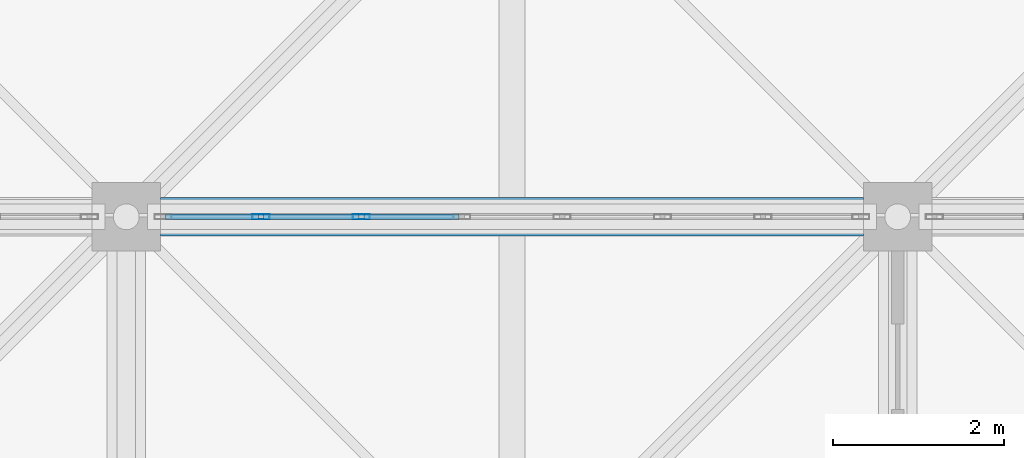
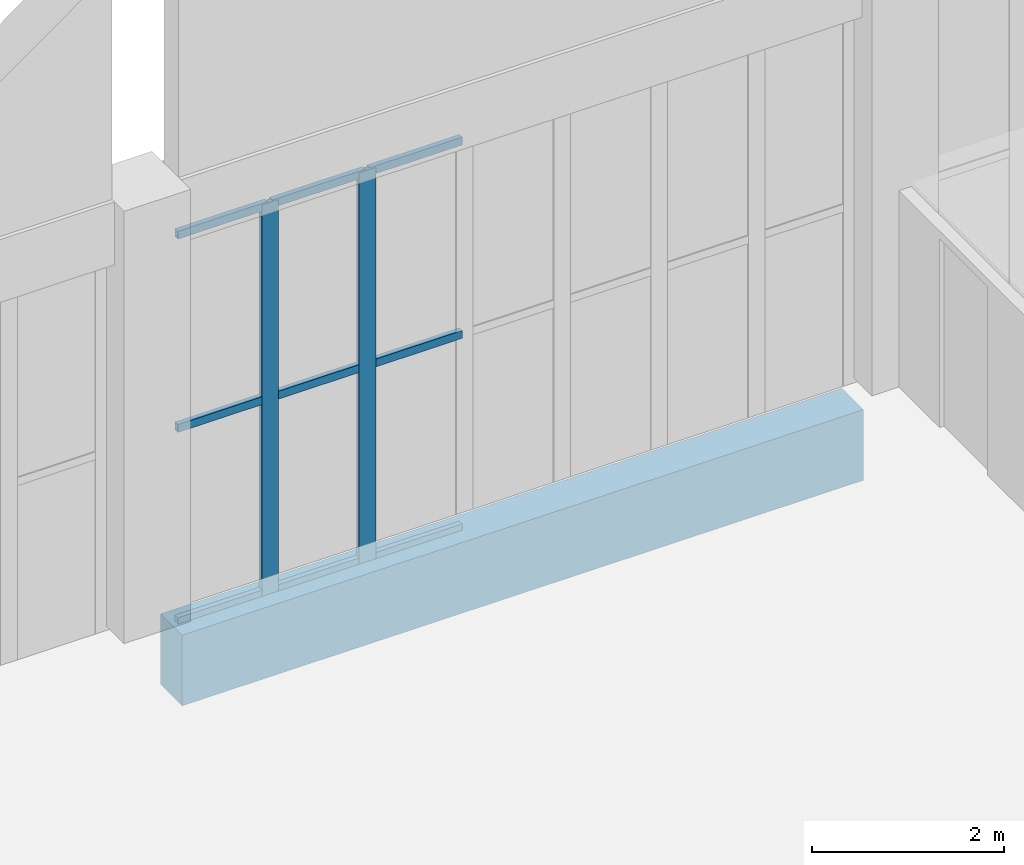
# One storey, part 129 of 437: 11 members, 1 beam, 1 element without a shape of its own.
"""IFC4 building model written with IfcOpenShell, lengths in metres."""

from ifc_helpers import new_model, si_unit, direction, frame, origin, origin_2d, place, context, subcontext, project, spatial, rectangle, hollow_rectangle, extrude, material, layer, layer_set, material_profile, profile_set, type_object, element, aggregate, save


model = new_model("IFC4")

# Units and contexts
model_context = context("Model", 3, precision=1e-05, world=origin(), true_north=direction((0.0, 1.0)))
body_context = subcontext(model_context, "Body", "Model", "MODEL_VIEW")
ifc_project = project(units=[si_unit("LENGTHUNIT", "METRE"), si_unit("AREAUNIT", "SQUARE_METRE"), si_unit("VOLUMEUNIT", "CUBIC_METRE"), si_unit("PLANEANGLEUNIT", "RADIAN"), si_unit("MASSUNIT", "GRAM", prefix="KILO")], contexts=[model_context])

# Site, building, storey
site_placement = place(None, origin())
site = spatial("IfcSite", under=ifc_project, at=site_placement, CompositionType="ELEMENT")
building_placement = place(site_placement, origin())
building = spatial("IfcBuilding", under=site, at=building_placement, Name="Opaline Strait Convention Centre", CompositionType="ELEMENT")
storey_placement = place(building_placement, frame((0.0, 0.0, 11.5)))
storey = spatial("IfcBuildingStorey", under=building, at=storey_placement, Name="L02", CompositionType="ELEMENT", Elevation=11.5)

# Curtain wall, members
ifc_material_1 = material(Name="Aluminium framed double glazing", Category="aluminium")
ifc_layer = layer(ifc_material_1, 0.199951171875)
ifc_layer_set = layer_set([ifc_layer], Name="Aluminium framed double glazing")
curtain_wall_type = type_object("IfcCurtainWallType", Name="Curtain wall 1250", PredefinedType="NOTDEFINED", material=ifc_layer_set)
curtain_wall_placement = place(storey_placement, origin())
curtain_wall = element("IfcCurtainWall", 1, at=curtain_wall_placement, inside=storey, type_object=curtain_wall_type, Name="Curtain wall N-45-L02", PredefinedType="NOTDEFINED")
ifc_material_2 = material(Name="Aluminium alloy 6063", Category="aluminium")
ifc_material_profile_1 = material_profile(ifc_material_2, hollow_rectangle(XDim=0.06005859375, YDim=0.199951171875, WallThickness=0.00390625, at=origin_2d()), Name="MULLION 60x200x4")
ifc_profile_set_1 = profile_set([ifc_material_profile_1], Name="Aluminium alloy 6063")
member_type_1 = type_object("IfcMemberType", Name="Curtain wall mullion 60 x 200", PredefinedType="MULLION", material=ifc_profile_set_1)
member_1_placement = place(storey_placement, frame((46.5712890625, 180.0, -0.280029296875), z_axis=(0.0, 0.0, 1.0), x_axis=(0.0, 1.0, 0.0)))
member_1 = element("IfcMember", 2, at=member_1_placement, type_object=member_type_1, Name="PCW mullion 2", PredefinedType="MULLION", context=body_context, shape_type="SweptSolid", body=[
    extrude(hollow_rectangle(XDim=0.06005859375, YDim=0.199951171875, WallThickness=0.00390625, at=origin_2d()), origin(), (0.0, 0.0, 1.0), 4.97998046875),
])
member_2_placement = place(storey_placement, frame((47.742919921875, 180.0, -0.280029296875), z_axis=(0.0, 0.0, 1.0), x_axis=(0.0, 1.0, 0.0)))
member_2 = element("IfcMember", 3, at=member_2_placement, type_object=member_type_1, Name="PCW mullion 3", PredefinedType="MULLION", context=body_context, shape_type="SweptSolid", body=[
    extrude(hollow_rectangle(XDim=0.06005859375, YDim=0.199951171875, WallThickness=0.00390625, at=origin_2d()), origin(), (0.0, 0.0, 1.0), 4.97998046875),
])
ifc_material_profile_2 = material_profile(ifc_material_2, hollow_rectangle(XDim=0.06005859375, YDim=0.10009765625, WallThickness=0.0029296875, at=origin_2d()), Name="TRANSOM 60x100x3")
ifc_profile_set_2 = profile_set([ifc_material_profile_2], Name="Aluminium alloy 6063")
member_type_2 = type_object("IfcMemberType", Name="Curtain wall transom 60 x 100", PredefinedType="USERDEFINED", material=ifc_profile_set_2)
member_3_placement = place(storey_placement, frame((45.4599609375, 180.0, -0.25), z_axis=(1.0, 0.0, 0.0), x_axis=(0.0, 1.0, 0.0)))
member_3 = element("IfcMember", 4, at=member_3_placement, type_object=member_type_2, Name="PCW transom 1.1", ObjectType="TRANSOM", PredefinedType="USERDEFINED", context=body_context, shape_type="SweptSolid", body=[
    extrude(hollow_rectangle(XDim=0.06005859375, YDim=0.10009765625, WallThickness=0.0029296875, at=origin_2d()), origin(), (0.0, 0.0, 1.0), 1.081298828125),
])
member_4_placement = place(storey_placement, frame((45.4599609375, 180.0, 2.2099609375), z_axis=(1.0, 0.0, 0.0), x_axis=(0.0, 1.0, 0.0)))
member_4 = element("IfcMember", 5, at=member_4_placement, type_object=member_type_2, Name="PCW transom 1.2", ObjectType="TRANSOM", PredefinedType="USERDEFINED", context=body_context, shape_type="SweptSolid", body=[
    extrude(hollow_rectangle(XDim=0.06005859375, YDim=0.10009765625, WallThickness=0.0029296875, at=origin_2d()), origin(), (0.0, 0.0, 1.0), 1.081298828125),
])
member_5_placement = place(storey_placement, frame((45.4599609375, 180.0, 4.669921875), z_axis=(1.0, 0.0, 0.0), x_axis=(0.0, 1.0, 0.0)))
member_5 = element("IfcMember", 6, at=member_5_placement, type_object=member_type_2, Name="PCW transom 1.3", ObjectType="TRANSOM", PredefinedType="USERDEFINED", context=body_context, shape_type="SweptSolid", body=[
    extrude(hollow_rectangle(XDim=0.06005859375, YDim=0.10009765625, WallThickness=0.0029296875, at=origin_2d()), origin(), (0.0, 0.0, 1.0), 1.081298828125),
])
member_6_placement = place(storey_placement, frame((46.601318359375, 180.0, -0.25), z_axis=(1.0, 0.0, 0.0), x_axis=(0.0, 1.0, 0.0)))
member_6 = element("IfcMember", 7, at=member_6_placement, type_object=member_type_2, Name="PCW transom 2.1", ObjectType="TRANSOM", PredefinedType="USERDEFINED", context=body_context, shape_type="SweptSolid", body=[
    extrude(hollow_rectangle(XDim=0.06005859375, YDim=0.10009765625, WallThickness=0.0029296875, at=origin_2d()), origin(), (0.0, 0.0, 1.0), 1.111572265625),
])
member_7_placement = place(storey_placement, frame((46.601318359375, 180.0, 2.2099609375), z_axis=(1.0, 0.0, 0.0), x_axis=(0.0, 1.0, 0.0)))
member_7 = element("IfcMember", 8, at=member_7_placement, type_object=member_type_2, Name="PCW transom 2.2", ObjectType="TRANSOM", PredefinedType="USERDEFINED", context=body_context, shape_type="SweptSolid", body=[
    extrude(hollow_rectangle(XDim=0.06005859375, YDim=0.10009765625, WallThickness=0.0029296875, at=origin_2d()), origin(), (0.0, 0.0, 1.0), 1.111572265625),
])
member_8_placement = place(storey_placement, frame((46.601318359375, 180.0, 4.669921875), z_axis=(1.0, 0.0, 0.0), x_axis=(0.0, 1.0, 0.0)))
member_8 = element("IfcMember", 9, at=member_8_placement, type_object=member_type_2, Name="PCW transom 2.3", ObjectType="TRANSOM", PredefinedType="USERDEFINED", context=body_context, shape_type="SweptSolid", body=[
    extrude(hollow_rectangle(XDim=0.06005859375, YDim=0.10009765625, WallThickness=0.0029296875, at=origin_2d()), origin(), (0.0, 0.0, 1.0), 1.111572265625),
])
member_9_placement = place(storey_placement, frame((47.772705078125, 180.0, -0.25), z_axis=(1.0, 0.0, 0.0), x_axis=(0.0, 1.0, 0.0)))
member_9 = element("IfcMember", 10, at=member_9_placement, type_object=member_type_2, Name="PCW transom 3.1", ObjectType="TRANSOM", PredefinedType="USERDEFINED", context=body_context, shape_type="SweptSolid", body=[
    extrude(hollow_rectangle(XDim=0.06005859375, YDim=0.10009765625, WallThickness=0.0029296875, at=origin_2d()), origin(), (0.0, 0.0, 1.0), 1.111572265625),
])
member_10_placement = place(storey_placement, frame((47.772705078125, 180.0, 2.2099609375), z_axis=(1.0, 0.0, 0.0), x_axis=(0.0, 1.0, 0.0)))
member_10 = element("IfcMember", 11, at=member_10_placement, type_object=member_type_2, Name="PCW transom 3.2", ObjectType="TRANSOM", PredefinedType="USERDEFINED", context=body_context, shape_type="SweptSolid", body=[
    extrude(hollow_rectangle(XDim=0.06005859375, YDim=0.10009765625, WallThickness=0.0029296875, at=origin_2d()), origin(), (0.0, 0.0, 1.0), 1.111572265625),
])
member_11_placement = place(storey_placement, frame((47.772705078125, 180.0, 4.669921875), z_axis=(1.0, 0.0, 0.0), x_axis=(0.0, 1.0, 0.0)))
member_11 = element("IfcMember", 12, at=member_11_placement, type_object=member_type_2, Name="PCW transom 3.3", ObjectType="TRANSOM", PredefinedType="USERDEFINED", context=body_context, shape_type="SweptSolid", body=[
    extrude(hollow_rectangle(XDim=0.06005859375, YDim=0.10009765625, WallThickness=0.0029296875, at=origin_2d()), origin(), (0.0, 0.0, 1.0), 1.111572265625),
])
aggregate(curtain_wall, [member_1, member_2, member_3, member_4, member_5, member_6, member_7, member_8, member_9, member_10, member_11])

# Beam
ifc_material_3 = material(Name="Concrete C35", Category="concrete")
ifc_material_profile_3 = material_profile(ifc_material_3, rectangle(XDim=0.449951171875, YDim=0.89990234375, at=origin_2d()), Name="RC 450x900")
ifc_profile_set_3 = profile_set([ifc_material_profile_3], Name="Concrete C35")
beam_type = type_object("IfcBeamType", Name="RC floor beam 450x900 C35", PredefinedType="BEAM", material=ifc_profile_set_3)
beam_placement = place(storey_placement, frame((45.39990234375, 180.0, -0.72998046875), z_axis=(1.0, 0.0, 0.0), x_axis=(0.0, 1.0, 0.0)))
element("IfcBeam", 13, at=beam_placement, inside=storey, type_object=beam_type, Name="PFB1 L02 beam 6/W-7/W", PredefinedType="BEAM", context=body_context, shape_type="SweptSolid", body=[
    extrude(rectangle(XDim=0.449951171875, YDim=0.89990234375, at=origin_2d()), origin(), (0.0, 0.0, 1.0), 8.2001953125),
])

save(model, "model.ifc")
